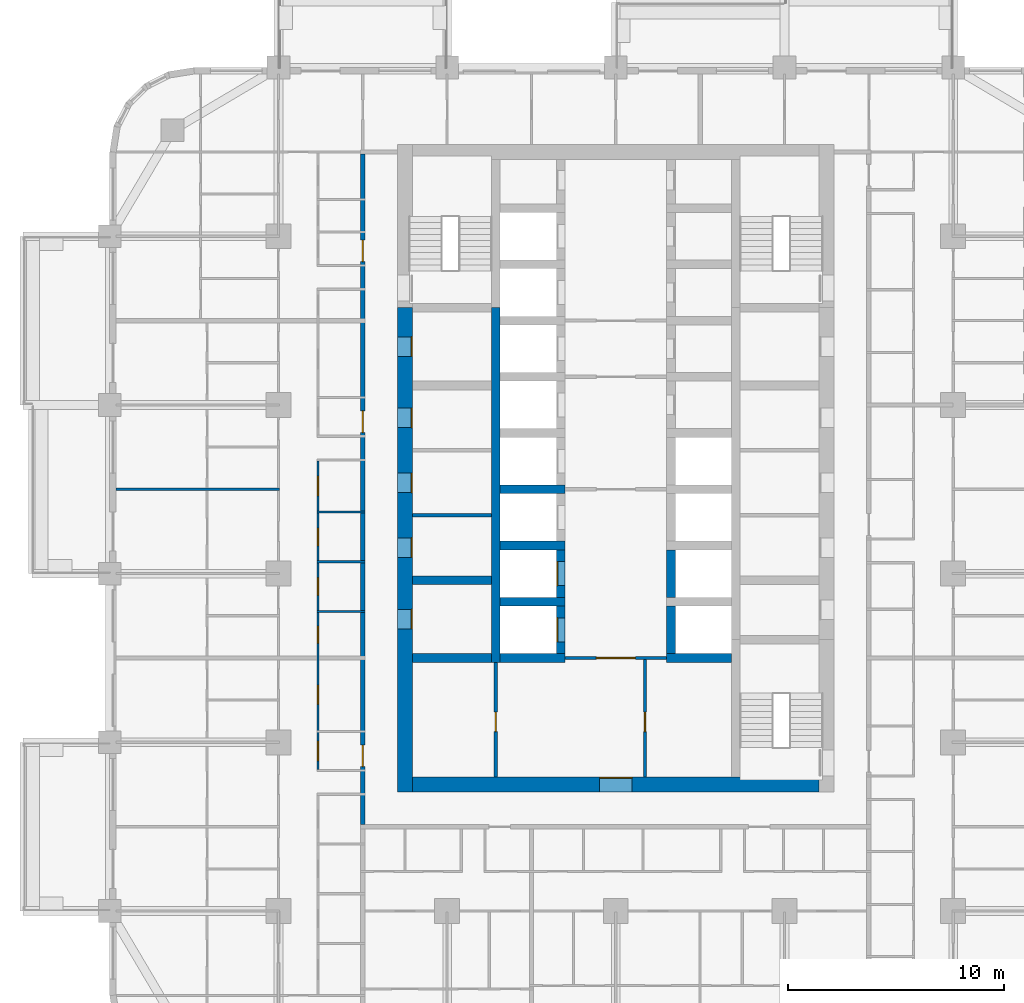
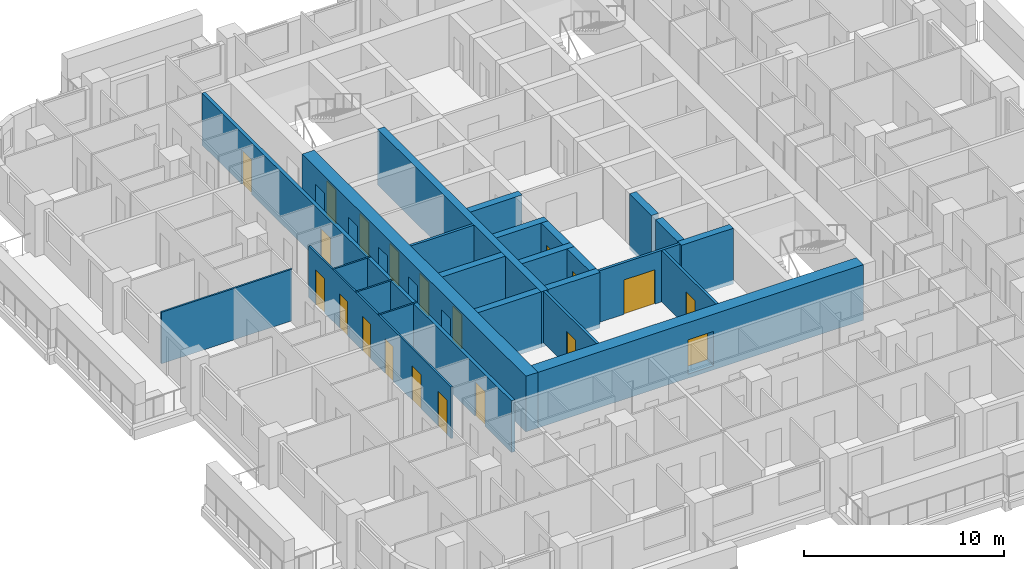
# One storey, part 6 of 18: 24 walls, 20 doors, 20 openings.
"""IFC4 building model written with IfcOpenShell, lengths in metres."""

from ifc_helpers import new_model, si_unit, direction, frame, frame_2d, origin, place, context, subcontext, project, spatial, rectangle, extrude, material, layer, layer_set, type_object, element, fill, save


model = new_model("IFC4")

# Units and contexts
model_context = context("Model", 3, precision=1e-05, world=origin(), true_north=direction((0.0, 1.0)))
body_context = subcontext(model_context, "Body", "Model", "MODEL_VIEW")
ifc_project = project(units=[si_unit("LENGTHUNIT", "METRE"), si_unit("AREAUNIT", "SQUARE_METRE"), si_unit("VOLUMEUNIT", "CUBIC_METRE"), si_unit("PLANEANGLEUNIT", "RADIAN"), si_unit("MASSUNIT", "GRAM", prefix="KILO")], contexts=[model_context])

# Site, building, storey
site_placement = place(None, origin())
site = spatial("IfcSite", under=ifc_project, at=site_placement, CompositionType="ELEMENT")
building_placement = place(site_placement, origin())
building = spatial("IfcBuilding", under=site, at=building_placement, Name="Ludao Terraces", CompositionType="ELEMENT")
storey_placement = place(building_placement, frame((0.0, 0.0, 29.699951171875)))
storey = spatial("IfcBuildingStorey", under=building, at=storey_placement, Name="L07", CompositionType="ELEMENT", Elevation=29.699951171875)

# Wall, openings, doors
ifc_material_1 = material(Name="Concrete C70", Category="concrete")
ifc_layer_1 = layer(ifc_material_1, 0.699951171875)
ifc_layer_set_1 = layer_set([ifc_layer_1], Name="Core wall 700 C70")
wall_type_1 = type_object("IfcWallType", Name="Core wall 700 C70", PredefinedType="SOLIDWALL", material=ifc_layer_set_1)
wall_1_placement = place(storey_placement, frame((75.25, 54.89990234375, -0.25), z_axis=(0.0, 0.0, 1.0), x_axis=(0.0, 1.0, 0.0)))
wall_1 = element("IfcWall", 1, at=wall_1_placement, inside=storey, type_object=wall_type_1, Name="Core wall L07 outer-W", PredefinedType="SOLIDWALL", context=body_context, shape_type="SweptSolid", body=[
    extrude(rectangle(XDim=22.400146484375, YDim=0.699951171875, at=frame_2d((11.2001953125, 0.0))), origin(), (0.0, 0.0, 1.0), 3.400146484375),
])
opening_1_placement = place(wall_1_placement, frame((7.550048828125, 0.0, 0.25)))
opening_1 = element("IfcOpeningElement", 2, at=opening_1_placement, cuts=wall_1, Name="Opening R02-077", PredefinedType="OPENING", context=body_context, shape_type="SweptSolid", body=[
    extrude(rectangle(XDim=0.89990234375, YDim=2.10009765625, at=frame_2d((0.449951171875, 1.050048828125))), frame((0.0, 0.35986328125, 0.0), z_axis=(0.0, -1.0, 0.0), x_axis=(1.0, 0.0, 0.0)), (0.0, 0.0, 1.0), 0.719970703125),
])
opening_2_placement = place(wall_1_placement, frame((10.85009765625, 0.0, 0.25)))
opening_2 = element("IfcOpeningElement", 3, at=opening_2_placement, cuts=wall_1, Name="Opening R02-086", PredefinedType="OPENING", context=body_context, shape_type="SweptSolid", body=[
    extrude(rectangle(XDim=0.89990234375, YDim=2.10009765625, at=frame_2d((0.449951171875, 1.050048828125))), frame((0.0, 0.35986328125, 0.0), z_axis=(0.0, -1.0, 0.0), x_axis=(1.0, 0.0, 0.0)), (0.0, 0.0, 1.0), 0.719970703125),
])
opening_3_placement = place(wall_1_placement, frame((13.85009765625, 0.0, 0.25)))
opening_3 = element("IfcOpeningElement", 4, at=opening_3_placement, cuts=wall_1, Name="Opening R02-098", PredefinedType="OPENING", context=body_context, shape_type="SweptSolid", body=[
    extrude(rectangle(XDim=0.89990234375, YDim=2.10009765625, at=frame_2d((0.449951171875, 1.050048828125))), frame((0.0, 0.35986328125, 0.0), z_axis=(0.0, -1.0, 0.0), x_axis=(1.0, 0.0, 0.0)), (0.0, 0.0, 1.0), 0.719970703125),
])
opening_4_placement = place(wall_1_placement, frame((16.85009765625, 0.0, 0.25)))
opening_4 = element("IfcOpeningElement", 5, at=opening_4_placement, cuts=wall_1, Name="Opening R02-108", PredefinedType="OPENING", context=body_context, shape_type="SweptSolid", body=[
    extrude(rectangle(XDim=0.89990234375, YDim=2.10009765625, at=frame_2d((0.449951171875, 1.050048828125))), frame((0.0, 0.35986328125, 0.0), z_axis=(0.0, -1.0, 0.0), x_axis=(1.0, 0.0, 0.0)), (0.0, 0.0, 1.0), 0.719970703125),
])
opening_5_placement = place(wall_1_placement, frame((20.14990234375, 0.0, 0.25)))
opening_5 = element("IfcOpeningElement", 6, at=opening_5_placement, cuts=wall_1, Name="Opening R02-120", PredefinedType="OPENING", context=body_context, shape_type="SweptSolid", body=[
    extrude(rectangle(XDim=0.89990234375, YDim=2.10009765625, at=frame_2d((0.449951171875, 1.050048828125))), frame((0.0, 0.35986328125, 0.0), z_axis=(0.0, -1.0, 0.0), x_axis=(1.0, 0.0, 0.0)), (0.0, 0.0, 1.0), 0.719970703125),
])
ifc_material_2 = material(Name="Steel Q235", Category="steel")
door_type_1 = type_object("IfcDoorType", Name="INT Riser door 900", OperationType="SINGLE_SWING_LEFT", PredefinedType="DOOR", material=ifc_material_2)
door_1_placement = place(opening_1_placement, origin())
door_1 = element("IfcDoor", 7, at=door_1_placement, inside=storey, type_object=door_type_1, Name="DOOR 077", OperationType="SINGLE_SWING_LEFT", OverallHeight=2.10009765625, OverallWidth=0.89990234375, PredefinedType="DOOR", context=body_context, shape_type="SweptSolid", body=[
    extrude(rectangle(XDim=0.89990234375, YDim=2.10009765625, at=frame_2d((0.449951171875, 1.050048828125))), frame((0.0, -0.28515625, 0.0), z_axis=(0.0, -1.0, 0.0), x_axis=(1.0, 0.0, 0.0)), (0.0, 0.0, 1.0), 0.050048828125),
])
fill(opening_1, door_1)
door_2_placement = place(opening_5_placement, origin())
door_2 = element("IfcDoor", 8, at=door_2_placement, inside=storey, type_object=door_type_1, Name="DOOR 120", OperationType="SINGLE_SWING_RIGHT", OverallHeight=2.10009765625, OverallWidth=0.89990234375, PredefinedType="DOOR", context=body_context, shape_type="SweptSolid", body=[
    extrude(rectangle(XDim=0.89990234375, YDim=2.10009765625, at=frame_2d((0.449951171875, 1.050048828125))), frame((0.0, -0.28515625, 0.0), z_axis=(0.0, -1.0, 0.0), x_axis=(1.0, 0.0, 0.0)), (0.0, 0.0, 1.0), 0.050048828125),
])
fill(opening_5, door_2)
ifc_material_3 = material(Name="Timber door leaf", Category="wood")
door_type_2 = type_object("IfcDoorType", Name="INT Room door 900", OperationType="SINGLE_SWING_LEFT", PredefinedType="DOOR", material=ifc_material_3)
door_3_placement = place(opening_2_placement, origin())
door_3 = element("IfcDoor", 9, at=door_3_placement, inside=storey, type_object=door_type_2, Name="DOOR 086", OperationType="SINGLE_SWING_RIGHT", OverallHeight=2.10009765625, OverallWidth=0.89990234375, PredefinedType="DOOR", context=body_context, shape_type="SweptSolid", body=[
    extrude(rectangle(XDim=0.89990234375, YDim=2.10009765625, at=frame_2d((0.449951171875, 1.050048828125))), frame((0.0, -0.28515625, 0.0), z_axis=(0.0, -1.0, 0.0), x_axis=(1.0, 0.0, 0.0)), (0.0, 0.0, 1.0), 0.050048828125),
])
fill(opening_2, door_3)
door_4_placement = place(opening_3_placement, origin())
door_4 = element("IfcDoor", 10, at=door_4_placement, inside=storey, type_object=door_type_2, Name="DOOR 098", OperationType="SINGLE_SWING_RIGHT", OverallHeight=2.10009765625, OverallWidth=0.89990234375, PredefinedType="DOOR", context=body_context, shape_type="SweptSolid", body=[
    extrude(rectangle(XDim=0.89990234375, YDim=2.10009765625, at=frame_2d((0.449951171875, 1.050048828125))), frame((0.0, -0.28515625, 0.0), z_axis=(0.0, -1.0, 0.0), x_axis=(1.0, 0.0, 0.0)), (0.0, 0.0, 1.0), 0.050048828125),
])
fill(opening_3, door_4)
door_5_placement = place(opening_4_placement, origin())
door_5 = element("IfcDoor", 11, at=door_5_placement, inside=storey, type_object=door_type_2, Name="DOOR 108", OperationType="SINGLE_SWING_LEFT", OverallHeight=2.10009765625, OverallWidth=0.89990234375, PredefinedType="DOOR", context=body_context, shape_type="SweptSolid", body=[
    extrude(rectangle(XDim=0.89990234375, YDim=2.10009765625, at=frame_2d((0.449951171875, 1.050048828125))), frame((0.0, -0.28515625, 0.0), z_axis=(0.0, -1.0, 0.0), x_axis=(1.0, 0.0, 0.0)), (0.0, 0.0, 1.0), 0.050048828125),
])
fill(opening_4, door_5)

# Wall, opening, door
wall_2_placement = place(storey_placement, frame((75.60009765625, 55.25, -0.25), z_axis=(0.0, 0.0, 1.0), x_axis=(1.0, 0.0, 0.0)))
wall_2 = element("IfcWall", 12, at=wall_2_placement, inside=storey, type_object=wall_type_1, Name="Core wall L07 outer-S", PredefinedType="SOLIDWALL", context=body_context, shape_type="SweptSolid", body=[
    extrude(rectangle(XDim=18.7998046875, YDim=0.699951171875, at=frame_2d((9.39990234375, 0.0))), origin(), (0.0, 0.0, 1.0), 3.400146484375),
])
opening_6_placement = place(wall_2_placement, frame((8.64990234375, 0.0, 0.25)))
opening_6 = element("IfcOpeningElement", 13, at=opening_6_placement, cuts=wall_2, Name="Opening R02-053", PredefinedType="OPENING", context=body_context, shape_type="SweptSolid", body=[
    extrude(rectangle(XDim=1.5, YDim=2.10009765625, at=frame_2d((0.75, 1.050048828125))), frame((0.0, 0.35986328125, 0.0), z_axis=(0.0, -1.0, 0.0), x_axis=(1.0, 0.0, 0.0)), (0.0, 0.0, 1.0), 0.719970703125),
])
door_type_3 = type_object("IfcDoorType", Name="INT Lobby door 1500", OperationType="DOUBLE_DOOR_SINGLE_SWING", PredefinedType="DOOR", material=ifc_material_2)
door_6_placement = place(opening_6_placement, origin())
door_6 = element("IfcDoor", 14, at=door_6_placement, inside=storey, type_object=door_type_3, Name="DOOR 053", OperationType="DOUBLE_DOOR_SINGLE_SWING", OverallHeight=2.10009765625, OverallWidth=1.5, PredefinedType="DOOR", context=body_context, shape_type="SweptSolid", body=[
    extrude(rectangle(XDim=1.5, YDim=2.10009765625, at=frame_2d((0.75, 1.050048828125))), frame((0.0, 0.3349609375, 0.0), z_axis=(0.0, -1.0, 0.0), x_axis=(1.0, 0.0, 0.0)), (0.0, 0.0, 1.0), 0.050048828125),
])
fill(opening_6, door_6)

ifc_material_4 = material(Name="Fire-rated gypsum plasterboard", Category="gypsum")
ifc_layer_2 = layer(ifc_material_4, 0.012451171875, Category="gypsum")
ifc_material_5 = material(Name="Mineral wool")
ifc_layer_3 = layer(ifc_material_5, 0.10009765625, Name="insulation")
ifc_layer_4 = layer(ifc_material_2, 0.02490234375, Name="stud")
ifc_layer_5 = layer(ifc_material_4, 0.012451171875, Category="gypsum")
ifc_layer_set_2 = layer_set([ifc_layer_2, ifc_layer_3, ifc_layer_4, ifc_layer_5], Name="INT Core partition 150")
wall_type_2 = type_object("IfcWallType", Name="INT Core partition 150", PredefinedType="PARTITIONING", material=ifc_layer_set_2)
wall_3_placement = place(storey_placement, frame((82.650146484375, 61.10009765625, 0.0), z_axis=(0.0, 0.0, 1.0), x_axis=(1.0, 0.0, 0.0)))
wall_3 = element("IfcWall", 15, at=wall_3_placement, inside=storey, type_object=wall_type_2, Name="PW-L07-PW032", PredefinedType="PARTITIONING", context=body_context, shape_type="SweptSolid", body=[
    extrude(rectangle(XDim=4.699951171875, YDim=0.14990234375, at=frame_2d((2.35009765625, 0.0))), origin(), (0.0, 0.0, 1.0), 3.150146484375),
])
opening_7_placement = place(wall_3_placement, frame((1.449951171875, 0.0, 0.0)))
opening_7 = element("IfcOpeningElement", 16, at=opening_7_placement, cuts=wall_3, Name="Opening R02-071", PredefinedType="OPENING", context=body_context, shape_type="SweptSolid", body=[
    extrude(rectangle(XDim=1.800048828125, YDim=2.10009765625, at=frame_2d((0.89990234375, 1.050048828125))), frame((0.0, 0.0849609375, 0.0), z_axis=(0.0, -1.0, 0.0), x_axis=(1.0, 0.0, 0.0)), (0.0, 0.0, 1.0), 0.169921875),
])
door_type_4 = type_object("IfcDoorType", Name="INT Fire lobby door 1800", OperationType="DOUBLE_DOOR_SINGLE_SWING", PredefinedType="DOOR", material=ifc_material_2)
door_7_placement = place(opening_7_placement, origin())
door_7 = element("IfcDoor", 17, at=door_7_placement, inside=storey, type_object=door_type_4, Name="DOOR 071", OperationType="DOUBLE_DOOR_SINGLE_SWING", OverallHeight=2.10009765625, OverallWidth=1.800048828125, PredefinedType="DOOR", context=body_context, shape_type="SweptSolid", body=[
    extrude(rectangle(XDim=1.800048828125, YDim=2.10009765625, at=frame_2d((0.89990234375, 1.050048828125))), frame((0.0, 0.02490234375, 0.0), z_axis=(0.0, -1.0, 0.0), x_axis=(1.0, 0.0, 0.0)), (0.0, 0.0, 1.0), 0.050048828125),
])
fill(opening_7, door_7)

# Wall
wall_4_placement = place(storey_placement, frame((75.60009765625, 67.699951171875, 0.0), z_axis=(0.0, 0.0, 1.0), x_axis=(1.0, 0.0, 0.0)))
element("IfcWall", 18, at=wall_4_placement, inside=storey, type_object=wall_type_2, Name="PW-L07-PW043", PredefinedType="PARTITIONING", context=body_context, shape_type="SweptSolid", body=[
    extrude(rectangle(XDim=3.64990234375, YDim=0.14990234375, at=frame_2d((1.824951171875, 0.0))), origin(), (0.0, 0.0, 1.0), 3.150146484375),
])

# Wall, opening, door
wall_5_placement = place(storey_placement, frame((79.449951171875, 55.60009765625, 0.0), z_axis=(0.0, 0.0, 1.0), x_axis=(0.0, 1.0, 0.0)))
wall_5 = element("IfcWall", 19, at=wall_5_placement, inside=storey, type_object=wall_type_2, Name="PW-L07-PW097", PredefinedType="PARTITIONING", context=body_context, shape_type="SweptSolid", body=[
    extrude(rectangle(XDim=5.300048828125, YDim=0.14990234375, at=frame_2d((2.64990234375, 0.0))), origin(), (0.0, 0.0, 1.0), 3.150146484375),
])
opening_8_placement = place(wall_5_placement, frame((2.10009765625, 0.0, 0.0)))
opening_8 = element("IfcOpeningElement", 20, at=opening_8_placement, cuts=wall_5, Name="Opening R02-061", PredefinedType="OPENING", context=body_context, shape_type="SweptSolid", body=[
    extrude(rectangle(XDim=0.89990234375, YDim=2.10009765625, at=frame_2d((0.449951171875, 1.050048828125))), frame((0.0, 0.0849609375, 0.0), z_axis=(0.0, -1.0, 0.0), x_axis=(1.0, 0.0, 0.0)), (0.0, 0.0, 1.0), 0.169921875),
])
door_8_placement = place(opening_8_placement, origin())
door_8 = element("IfcDoor", 21, at=door_8_placement, inside=storey, type_object=door_type_2, Name="DOOR 061", OperationType="SINGLE_SWING_LEFT", OverallHeight=2.10009765625, OverallWidth=0.89990234375, PredefinedType="DOOR", context=body_context, shape_type="SweptSolid", body=[
    extrude(rectangle(XDim=0.89990234375, YDim=2.10009765625, at=frame_2d((0.449951171875, 1.050048828125))), frame((0.0, 0.02490234375, 0.0), z_axis=(0.0, -1.0, 0.0), x_axis=(1.0, 0.0, 0.0)), (0.0, 0.0, 1.0), 0.050048828125),
])
fill(opening_8, door_8)

wall_6_placement = place(storey_placement, frame((86.35009765625, 55.60009765625, 0.0), z_axis=(0.0, 0.0, 1.0), x_axis=(0.0, 1.0, 0.0)))
wall_6 = element("IfcWall", 22, at=wall_6_placement, inside=storey, type_object=wall_type_2, Name="PW-L07-PW105", PredefinedType="PARTITIONING", context=body_context, shape_type="SweptSolid", body=[
    extrude(rectangle(XDim=5.425048828125, YDim=0.14990234375, at=frame_2d((2.71240234375, 0.0))), origin(), (0.0, 0.0, 1.0), 3.150146484375),
])
opening_9_placement = place(wall_6_placement, frame((2.10009765625, 0.0, 0.0)))
opening_9 = element("IfcOpeningElement", 23, at=opening_9_placement, cuts=wall_6, Name="Opening R02-062", PredefinedType="OPENING", context=body_context, shape_type="SweptSolid", body=[
    extrude(rectangle(XDim=0.89990234375, YDim=2.10009765625, at=frame_2d((0.449951171875, 1.050048828125))), frame((0.0, 0.0849609375, 0.0), z_axis=(0.0, -1.0, 0.0), x_axis=(1.0, 0.0, 0.0)), (0.0, 0.0, 1.0), 0.169921875),
])
door_9_placement = place(opening_9_placement, origin())
door_9 = element("IfcDoor", 24, at=door_9_placement, inside=storey, type_object=door_type_2, Name="DOOR 062", OperationType="SINGLE_SWING_RIGHT", OverallHeight=2.10009765625, OverallWidth=0.89990234375, PredefinedType="DOOR", context=body_context, shape_type="SweptSolid", body=[
    extrude(rectangle(XDim=0.89990234375, YDim=2.10009765625, at=frame_2d((0.449951171875, 1.050048828125))), frame((0.0, 0.02490234375, 0.0), z_axis=(0.0, -1.0, 0.0), x_axis=(1.0, 0.0, 0.0)), (0.0, 0.0, 1.0), 0.050048828125),
])
fill(opening_9, door_9)

# Wall, openings, doors
ifc_material_6 = material(Name="Autoclaved aerated concrete block B06 A3.5", Category="concrete")
ifc_layer_6 = layer(ifc_material_6, 0.199951171875)
ifc_layer_set_3 = layer_set([ifc_layer_6], Name="INT Entrance wall 200")
wall_type_3 = type_object("IfcWallType", Name="INT Entrance wall 200", PredefinedType="PARTITIONING", material=ifc_layer_set_3)
wall_7_placement = place(storey_placement, frame((73.300048828125, 53.400146484375, 0.0), z_axis=(0.0, 0.0, 1.0), x_axis=(0.0, 1.0, 0.0)))
wall_7 = element("IfcWall", 25, at=wall_7_placement, inside=storey, type_object=wall_type_3, Name="PW-L07-PW089", PredefinedType="PARTITIONING", context=body_context, shape_type="SweptSolid", body=[
    extrude(rectangle(XDim=31.0, YDim=0.199951171875, at=frame_2d((15.5, 0.0))), origin(), (0.0, 0.0, 1.0), 3.150146484375),
])
opening_10_placement = place(wall_7_placement, frame((2.675048828125, 0.0, 0.0)))
opening_10 = element("IfcOpeningElement", 26, at=opening_10_placement, cuts=wall_7, Name="Opening R02-058", PredefinedType="OPENING", context=body_context, shape_type="SweptSolid", body=[
    extrude(rectangle(XDim=1.0, YDim=2.10009765625, at=frame_2d((0.5, 1.050048828125))), frame((0.0, 0.10986328125, 0.0), z_axis=(0.0, -1.0, 0.0), x_axis=(1.0, 0.0, 0.0)), (0.0, 0.0, 1.0), 0.219970703125),
])
opening_11_placement = place(wall_7_placement, frame((18.125, 0.0, 0.0)))
opening_11 = element("IfcOpeningElement", 27, at=opening_11_placement, cuts=wall_7, Name="Opening R02-107", PredefinedType="OPENING", context=body_context, shape_type="SweptSolid", body=[
    extrude(rectangle(XDim=1.0, YDim=2.10009765625, at=frame_2d((0.5, 1.050048828125))), frame((0.0, 0.10986328125, 0.0), z_axis=(0.0, -1.0, 0.0), x_axis=(1.0, 0.0, 0.0)), (0.0, 0.0, 1.0), 0.219970703125),
])
opening_12_placement = place(wall_7_placement, frame((26.02490234375, 0.0, 0.0)))
opening_12 = element("IfcOpeningElement", 28, at=opening_12_placement, cuts=wall_7, Name="Opening R02-140", PredefinedType="OPENING", context=body_context, shape_type="SweptSolid", body=[
    extrude(rectangle(XDim=1.0, YDim=2.10009765625, at=frame_2d((0.5, 1.050048828125))), frame((0.0, 0.10986328125, 0.0), z_axis=(0.0, -1.0, 0.0), x_axis=(1.0, 0.0, 0.0)), (0.0, 0.0, 1.0), 0.219970703125),
])
door_type_5 = type_object("IfcDoorType", Name="INT Flat entrance door 1000", OperationType="SINGLE_SWING_LEFT", PredefinedType="DOOR", material=ifc_material_2)
door_10_placement = place(opening_10_placement, origin())
door_10 = element("IfcDoor", 29, at=door_10_placement, inside=storey, type_object=door_type_5, Name="DOOR 058", OperationType="SINGLE_SWING_RIGHT", OverallHeight=2.10009765625, OverallWidth=1.0, PredefinedType="DOOR", context=body_context, shape_type="SweptSolid", body=[
    extrude(rectangle(XDim=1.0, YDim=2.10009765625, at=frame_2d((0.5, 1.050048828125))), frame((0.0, 0.02490234375, 0.0), z_axis=(0.0, -1.0, 0.0), x_axis=(1.0, 0.0, 0.0)), (0.0, 0.0, 1.0), 0.050048828125),
])
fill(opening_10, door_10)
door_11_placement = place(opening_11_placement, origin())
door_11 = element("IfcDoor", 30, at=door_11_placement, inside=storey, type_object=door_type_5, Name="DOOR 107", OperationType="SINGLE_SWING_RIGHT", OverallHeight=2.10009765625, OverallWidth=1.0, PredefinedType="DOOR", context=body_context, shape_type="SweptSolid", body=[
    extrude(rectangle(XDim=1.0, YDim=2.10009765625, at=frame_2d((0.5, 1.050048828125))), frame((0.0, 0.02490234375, 0.0), z_axis=(0.0, -1.0, 0.0), x_axis=(1.0, 0.0, 0.0)), (0.0, 0.0, 1.0), 0.050048828125),
])
fill(opening_11, door_11)
door_12_placement = place(opening_12_placement, origin())
door_12 = element("IfcDoor", 31, at=door_12_placement, inside=storey, type_object=door_type_5, Name="DOOR 140", OperationType="SINGLE_SWING_RIGHT", OverallHeight=2.10009765625, OverallWidth=1.0, PredefinedType="DOOR", context=body_context, shape_type="SweptSolid", body=[
    extrude(rectangle(XDim=1.0, YDim=2.10009765625, at=frame_2d((0.5, 1.050048828125))), frame((0.0, 0.02490234375, 0.0), z_axis=(0.0, -1.0, 0.0), x_axis=(1.0, 0.0, 0.0)), (0.0, 0.0, 1.0), 0.050048828125),
])
fill(opening_12, door_12)

# Walls
ifc_material_7 = material(Name="Gypsum plasterboard", Category="gypsum")
ifc_layer_7 = layer(ifc_material_7, 0.012451171875, Category="gypsum")
ifc_layer_8 = layer(ifc_material_5, 0.06005859375, Name="insulation")
ifc_layer_9 = layer(ifc_material_2, 0.014892578125, Name="stud")
ifc_layer_10 = layer(ifc_material_7, 0.012451171875, Category="gypsum")
ifc_layer_set_4 = layer_set([ifc_layer_7, ifc_layer_8, ifc_layer_9, ifc_layer_10], Name="INT Partition 100")
wall_type_4 = type_object("IfcWallType", Name="INT Partition 100", PredefinedType="PARTITIONING", material=ifc_layer_set_4)
for number, where, z_axis, x_axis, name in (
    (32, (71.18017578125, 63.25, 0.0), (0.0, 0.0, 1.0), (1.0, 0.0, 0.0), "PW-L07-PW036"),
    (33, (71.18017578125, 65.550048828125, 0.0), (0.0, 0.0, 1.0), (1.0, 0.0, 0.0), "PW-L07-PW041"),
    (34, (71.18017578125, 67.85009765625, 0.0), (0.0, 0.0, 1.0), (1.0, 0.0, 0.0), "PW-L07-PW045"),
):
    element("IfcWall", number, at=place(storey_placement, frame(where, z_axis=z_axis, x_axis=x_axis)), inside=storey, type_object=wall_type_4, Name=name, PredefinedType="PARTITIONING", context=body_context, shape_type="SweptSolid", body=[
        extrude(rectangle(XDim=2.219970703125, YDim=0.10009765625, at=frame_2d((1.10986328125, 0.0))), origin(), (0.0, 0.0, 1.0), 3.150146484375),
    ])
wall_8_placement = place(storey_placement, frame((61.900146484375, 68.89990234375, 0.0), z_axis=(0.0, 0.0, 1.0), x_axis=(1.0, 0.0, 0.0)))
element("IfcWall", 35, at=wall_8_placement, inside=storey, type_object=wall_type_4, Name="PW-L07-PW046", PredefinedType="PARTITIONING", context=body_context, shape_type="SweptSolid", body=[
    extrude(rectangle(XDim=7.550048828125, YDim=0.10009765625, at=frame_2d((3.77490234375, 0.0))), origin(), (0.0, 0.0, 1.0), 3.150146484375),
])

# Wall, openings, doors
wall_9_placement = place(storey_placement, frame((71.22998046875, 55.9501953125, 0.0), z_axis=(0.0, 0.0, 1.0), x_axis=(0.0, 1.0, 0.0)))
wall_9 = element("IfcWall", 36, at=wall_9_placement, inside=storey, type_object=wall_type_4, Name="PW-L07-PW085", PredefinedType="PARTITIONING", context=body_context, shape_type="SweptSolid", body=[
    extrude(rectangle(XDim=14.25, YDim=0.10009765625, at=frame_2d((7.125, 0.0))), origin(), (0.0, 0.0, 1.0), 3.150146484375),
])
opening_13_placement = place(wall_9_placement, frame((0.39990234375, 0.0, 0.0)))
opening_13 = element("IfcOpeningElement", 37, at=opening_13_placement, cuts=wall_9, Name="Opening R02-059", PredefinedType="OPENING", context=body_context, shape_type="SweptSolid", body=[
    extrude(rectangle(XDim=0.89990234375, YDim=2.10009765625, at=frame_2d((0.449951171875, 1.050048828125))), frame((0.0, 0.06005859375, 0.0), z_axis=(0.0, -1.0, 0.0), x_axis=(1.0, 0.0, 0.0)), (0.0, 0.0, 1.0), 0.1201171875),
])
opening_14_placement = place(wall_9_placement, frame((3.0, 0.0, 0.0)))
opening_14 = element("IfcOpeningElement", 38, at=opening_14_placement, cuts=wall_9, Name="Opening R02-065", PredefinedType="OPENING", context=body_context, shape_type="SweptSolid", body=[
    extrude(rectangle(XDim=0.89990234375, YDim=2.10009765625, at=frame_2d((0.449951171875, 1.050048828125))), frame((0.0, 0.06005859375, 0.0), z_axis=(0.0, -1.0, 0.0), x_axis=(1.0, 0.0, 0.0)), (0.0, 0.0, 1.0), 0.1201171875),
])
opening_15_placement = place(wall_9_placement, frame((5.824951171875, 0.0, 0.0)))
opening_15 = element("IfcOpeningElement", 39, at=opening_15_placement, cuts=wall_9, Name="Opening R02-074", PredefinedType="OPENING", context=body_context, shape_type="SweptSolid", body=[
    extrude(rectangle(XDim=0.800048828125, YDim=2.10009765625, at=frame_2d((0.39990234375, 1.050048828125))), frame((0.0, 0.06005859375, 0.0), z_axis=(0.0, -1.0, 0.0), x_axis=(1.0, 0.0, 0.0)), (0.0, 0.0, 1.0), 0.1201171875),
])
opening_16_placement = place(wall_9_placement, frame((8.0498046875, 0.0, 0.0)))
opening_16 = element("IfcOpeningElement", 40, at=opening_16_placement, cuts=wall_9, Name="Opening R02-083", PredefinedType="OPENING", context=body_context, shape_type="SweptSolid", body=[
    extrude(rectangle(XDim=0.800048828125, YDim=2.10009765625, at=frame_2d((0.39990234375, 1.050048828125))), frame((0.0, 0.06005859375, 0.0), z_axis=(0.0, -1.0, 0.0), x_axis=(1.0, 0.0, 0.0)), (0.0, 0.0, 1.0), 0.1201171875),
])
opening_17_placement = place(wall_9_placement, frame((10.349853515625, 0.0, 0.0)))
opening_17 = element("IfcOpeningElement", 41, at=opening_17_placement, cuts=wall_9, Name="Opening R02-088", PredefinedType="OPENING", context=body_context, shape_type="SweptSolid", body=[
    extrude(rectangle(XDim=0.800048828125, YDim=2.10009765625, at=frame_2d((0.39990234375, 1.050048828125))), frame((0.0, 0.06005859375, 0.0), z_axis=(0.0, -1.0, 0.0), x_axis=(1.0, 0.0, 0.0)), (0.0, 0.0, 1.0), 0.1201171875),
])
opening_18_placement = place(wall_9_placement, frame((12.64990234375, 0.0, 0.0)))
opening_18 = element("IfcOpeningElement", 42, at=opening_18_placement, cuts=wall_9, Name="Opening R02-097", PredefinedType="OPENING", context=body_context, shape_type="SweptSolid", body=[
    extrude(rectangle(XDim=0.89990234375, YDim=2.10009765625, at=frame_2d((0.449951171875, 1.050048828125))), frame((0.0, 0.06005859375, 0.0), z_axis=(0.0, -1.0, 0.0), x_axis=(1.0, 0.0, 0.0)), (0.0, 0.0, 1.0), 0.1201171875),
])
door_type_6 = type_object("IfcDoorType", Name="INT Bathroom door 900", OperationType="SINGLE_SWING_LEFT", PredefinedType="DOOR", material=ifc_material_3)
door_13_placement = place(opening_13_placement, origin())
door_13 = element("IfcDoor", 43, at=door_13_placement, inside=storey, type_object=door_type_6, Name="DOOR 059", OperationType="SINGLE_SWING_RIGHT", OverallHeight=2.10009765625, OverallWidth=0.89990234375, PredefinedType="DOOR", context=body_context, shape_type="SweptSolid", body=[
    extrude(rectangle(XDim=0.89990234375, YDim=2.10009765625, at=frame_2d((0.449951171875, 1.050048828125))), frame((0.0, 0.02490234375, 0.0), z_axis=(0.0, -1.0, 0.0), x_axis=(1.0, 0.0, 0.0)), (0.0, 0.0, 1.0), 0.050048828125),
])
fill(opening_13, door_13)
door_14_placement = place(opening_18_placement, origin())
door_14 = element("IfcDoor", 44, at=door_14_placement, inside=storey, type_object=door_type_6, Name="DOOR 097", OperationType="SINGLE_SWING_RIGHT", OverallHeight=2.10009765625, OverallWidth=0.89990234375, PredefinedType="DOOR", context=body_context, shape_type="SweptSolid", body=[
    extrude(rectangle(XDim=0.89990234375, YDim=2.10009765625, at=frame_2d((0.449951171875, 1.050048828125))), frame((0.0, 0.02490234375, 0.0), z_axis=(0.0, -1.0, 0.0), x_axis=(1.0, 0.0, 0.0)), (0.0, 0.0, 1.0), 0.050048828125),
])
fill(opening_18, door_14)
door_15_placement = place(opening_14_placement, origin())
door_15 = element("IfcDoor", 45, at=door_15_placement, inside=storey, type_object=door_type_2, Name="DOOR 065", OperationType="SINGLE_SWING_LEFT", OverallHeight=2.10009765625, OverallWidth=0.89990234375, PredefinedType="DOOR", context=body_context, shape_type="SweptSolid", body=[
    extrude(rectangle(XDim=0.89990234375, YDim=2.10009765625, at=frame_2d((0.449951171875, 1.050048828125))), frame((0.0, 0.02490234375, 0.0), z_axis=(0.0, -1.0, 0.0), x_axis=(1.0, 0.0, 0.0)), (0.0, 0.0, 1.0), 0.050048828125),
])
fill(opening_14, door_15)
door_type_7 = type_object("IfcDoorType", Name="INT Store door 800", OperationType="SINGLE_SWING_LEFT", PredefinedType="DOOR", material=ifc_material_3)
door_16_placement = place(opening_15_placement, origin())
door_16 = element("IfcDoor", 46, at=door_16_placement, inside=storey, type_object=door_type_7, Name="DOOR 074", OperationType="SINGLE_SWING_RIGHT", OverallHeight=2.10009765625, OverallWidth=0.800048828125, PredefinedType="DOOR", context=body_context, shape_type="SweptSolid", body=[
    extrude(rectangle(XDim=0.800048828125, YDim=2.10009765625, at=frame_2d((0.39990234375, 1.050048828125))), frame((0.0, 0.02490234375, 0.0), z_axis=(0.0, -1.0, 0.0), x_axis=(1.0, 0.0, 0.0)), (0.0, 0.0, 1.0), 0.050048828125),
])
fill(opening_15, door_16)
door_17_placement = place(opening_16_placement, origin())
door_17 = element("IfcDoor", 47, at=door_17_placement, inside=storey, type_object=door_type_7, Name="DOOR 083", OperationType="SINGLE_SWING_LEFT", OverallHeight=2.10009765625, OverallWidth=0.800048828125, PredefinedType="DOOR", context=body_context, shape_type="SweptSolid", body=[
    extrude(rectangle(XDim=0.800048828125, YDim=2.10009765625, at=frame_2d((0.39990234375, 1.050048828125))), frame((0.0, 0.02490234375, 0.0), z_axis=(0.0, -1.0, 0.0), x_axis=(1.0, 0.0, 0.0)), (0.0, 0.0, 1.0), 0.050048828125),
])
fill(opening_16, door_17)
door_18_placement = place(opening_17_placement, origin())
door_18 = element("IfcDoor", 48, at=door_18_placement, inside=storey, type_object=door_type_7, Name="DOOR 088", OperationType="SINGLE_SWING_RIGHT", OverallHeight=2.10009765625, OverallWidth=0.800048828125, PredefinedType="DOOR", context=body_context, shape_type="SweptSolid", body=[
    extrude(rectangle(XDim=0.800048828125, YDim=2.10009765625, at=frame_2d((0.39990234375, 1.050048828125))), frame((0.0, 0.02490234375, 0.0), z_axis=(0.0, -1.0, 0.0), x_axis=(1.0, 0.0, 0.0)), (0.0, 0.0, 1.0), 0.050048828125),
])
fill(opening_17, door_18)

# Walls
ifc_material_8 = material(Name="Concrete C60", Category="concrete")
ifc_layer_11 = layer(ifc_material_8, 0.39990234375)
ifc_layer_set_5 = layer_set([ifc_layer_11], Name="Shaft wall 400 C60")
wall_type_5 = type_object("IfcWallType", Name="Shaft wall 400 C60", PredefinedType="SOLIDWALL", material=ifc_layer_set_5)
wall_10_placement = place(storey_placement, frame((79.449951171875, 60.89990234375, -0.25), z_axis=(0.0, 0.0, 1.0), x_axis=(0.0, 1.0, 0.0)))
element("IfcWall", 49, at=wall_10_placement, inside=storey, type_object=wall_type_5, Name="Core wall L07 back-W", PredefinedType="SOLIDWALL", context=body_context, shape_type="SweptSolid", body=[
    extrude(rectangle(XDim=16.400146484375, YDim=0.39990234375, at=frame_2d((8.2001953125, 0.0))), origin(), (0.0, 0.0, 1.0), 3.400146484375),
])
wall_11_placement = place(storey_placement, frame((79.64990234375, 61.10009765625, -0.25), z_axis=(0.0, 0.0, 1.0), x_axis=(1.0, 0.0, 0.0)))
element("IfcWall", 50, at=wall_11_placement, inside=storey, type_object=wall_type_5, Name="Core wall L07 div-W1", PredefinedType="SOLIDWALL", context=body_context, shape_type="SweptSolid", body=[
    extrude(rectangle(XDim=3.0, YDim=0.39990234375, at=frame_2d((1.5, 0.0))), origin(), (0.0, 0.0, 1.0), 3.400146484375),
])

# Wall, opening, door
wall_12_placement = place(storey_placement, frame((82.449951171875, 61.300048828125, -0.25), z_axis=(0.0, 0.0, 1.0), x_axis=(0.0, 1.0, 0.0)))
wall_12 = element("IfcWall", 51, at=wall_12_placement, inside=storey, type_object=wall_type_5, Name="Core wall L07 front-W1", PredefinedType="SOLIDWALL", context=body_context, shape_type="SweptSolid", body=[
    extrude(rectangle(XDim=2.199951171875, YDim=0.39990234375, at=frame_2d((1.10009765625, 0.0))), origin(), (0.0, 0.0, 1.0), 3.400146484375),
])
opening_19_placement = place(wall_12_placement, frame((0.550048828125, 0.0, 0.25)))
opening_19 = element("IfcOpeningElement", 52, at=opening_19_placement, cuts=wall_12, Name="Opening LD-LA1", PredefinedType="OPENING", context=body_context, shape_type="SweptSolid", body=[
    extrude(rectangle(XDim=1.10009765625, YDim=2.10009765625, at=frame_2d((0.550048828125, 1.050048828125))), frame((0.0, 0.2099609375, 0.0), z_axis=(0.0, -1.0, 0.0), x_axis=(1.0, 0.0, 0.0)), (0.0, 0.0, 1.0), 0.419921875),
])
ifc_material_9 = material(Name="Stainless steel 304", Category="steel")
door_type_8 = type_object("IfcDoorType", Name="INT Lift landing door 1100", OperationType="SLIDING_TO_LEFT", PredefinedType="DOOR", material=ifc_material_9)
door_19_placement = place(opening_19_placement, origin())
door_19 = element("IfcDoor", 53, at=door_19_placement, inside=storey, type_object=door_type_8, Name="LANDING DOOR LA1 L07", OperationType="SLIDING_TO_RIGHT", OverallHeight=2.10009765625, OverallWidth=1.10009765625, PredefinedType="DOOR", context=body_context, shape_type="SweptSolid", body=[
    extrude(rectangle(XDim=1.10009765625, YDim=2.10009765625, at=frame_2d((0.550048828125, 1.050048828125))), frame((0.0, 0.18505859375, 0.0), z_axis=(0.0, -1.0, 0.0), x_axis=(1.0, 0.0, 0.0)), (0.0, 0.0, 1.0), 0.050048828125),
])
fill(opening_19, door_19)

# Wall
wall_13_placement = place(storey_placement, frame((79.64990234375, 63.699951171875, -0.25), z_axis=(0.0, 0.0, 1.0), x_axis=(1.0, 0.0, 0.0)))
element("IfcWall", 54, at=wall_13_placement, inside=storey, type_object=wall_type_5, Name="Core wall L07 div-W2", PredefinedType="SOLIDWALL", context=body_context, shape_type="SweptSolid", body=[
    extrude(rectangle(XDim=3.0, YDim=0.39990234375, at=frame_2d((1.5, 0.0))), origin(), (0.0, 0.0, 1.0), 3.400146484375),
])

# Wall, opening, door
wall_14_placement = place(storey_placement, frame((82.449951171875, 63.89990234375, -0.25), z_axis=(0.0, 0.0, 1.0), x_axis=(0.0, 1.0, 0.0)))
wall_14 = element("IfcWall", 55, at=wall_14_placement, inside=storey, type_object=wall_type_5, Name="Core wall L07 front-W2", PredefinedType="SOLIDWALL", context=body_context, shape_type="SweptSolid", body=[
    extrude(rectangle(XDim=2.2001953125, YDim=0.39990234375, at=frame_2d((1.10009765625, 0.0))), origin(), (0.0, 0.0, 1.0), 3.400146484375),
])
opening_20_placement = place(wall_14_placement, frame((0.550048828125, 0.0, 0.25)))
opening_20 = element("IfcOpeningElement", 56, at=opening_20_placement, cuts=wall_14, Name="Opening LD-LA2", PredefinedType="OPENING", context=body_context, shape_type="SweptSolid", body=[
    extrude(rectangle(XDim=1.10009765625, YDim=2.10009765625, at=frame_2d((0.550048828125, 1.050048828125))), frame((0.0, 0.2099609375, 0.0), z_axis=(0.0, -1.0, 0.0), x_axis=(1.0, 0.0, 0.0)), (0.0, 0.0, 1.0), 0.419921875),
])
door_20_placement = place(opening_20_placement, origin())
door_20 = element("IfcDoor", 57, at=door_20_placement, inside=storey, type_object=door_type_8, Name="LANDING DOOR LA2 L07", OperationType="SLIDING_TO_RIGHT", OverallHeight=2.10009765625, OverallWidth=1.10009765625, PredefinedType="DOOR", context=body_context, shape_type="SweptSolid", body=[
    extrude(rectangle(XDim=1.10009765625, YDim=2.10009765625, at=frame_2d((0.550048828125, 1.050048828125))), frame((0.0, 0.18505859375, 0.0), z_axis=(0.0, -1.0, 0.0), x_axis=(1.0, 0.0, 0.0)), (0.0, 0.0, 1.0), 0.050048828125),
])
fill(opening_20, door_20)

# Walls
for number, where, z_axis, x_axis, name in (
    (58, (79.64990234375, 66.300048828125, -0.25), (0.0, 0.0, 1.0), (1.0, 0.0, 0.0), "Core wall L07 div-W3"),
    (59, (79.64990234375, 68.89990234375, -0.25), (0.0, 0.0, 1.0), (1.0, 0.0, 0.0), "Core wall L07 div-W4"),
    (60, (87.35009765625, 61.10009765625, -0.25), (0.0, 0.0, 1.0), (1.0, 0.0, 0.0), "Core wall L07 div-E1"),
):
    element("IfcWall", number, at=place(storey_placement, frame(where, z_axis=z_axis, x_axis=x_axis)), inside=storey, type_object=wall_type_5, Name=name, PredefinedType="SOLIDWALL", context=body_context, shape_type="SweptSolid", body=[
        extrude(rectangle(XDim=3.0, YDim=0.39990234375, at=frame_2d((1.5, 0.0))), origin(), (0.0, 0.0, 1.0), 3.400146484375),
    ])
wall_15_placement = place(storey_placement, frame((87.550048828125, 61.300048828125, -0.25), z_axis=(0.0, 0.0, 1.0), x_axis=(0.0, 1.0, 0.0)))
element("IfcWall", 61, at=wall_15_placement, inside=storey, type_object=wall_type_5, Name="Core wall L07 front-E1", PredefinedType="SOLIDWALL", context=body_context, shape_type="SweptSolid", body=[
    extrude(rectangle(XDim=2.199951171875, YDim=0.39990234375, at=frame_2d((1.10009765625, 0.0))), origin(), (0.0, 0.0, 1.0), 3.400146484375),
])
wall_16_placement = place(storey_placement, frame((87.550048828125, 63.89990234375, -0.25), z_axis=(0.0, 0.0, 1.0), x_axis=(0.0, 1.0, 0.0)))
element("IfcWall", 62, at=wall_16_placement, inside=storey, type_object=wall_type_5, Name="Core wall L07 front-E2", PredefinedType="SOLIDWALL", context=body_context, shape_type="SweptSolid", body=[
    extrude(rectangle(XDim=2.2001953125, YDim=0.39990234375, at=frame_2d((1.10009765625, 0.0))), origin(), (0.0, 0.0, 1.0), 3.400146484375),
])
for number, where, z_axis, x_axis, name in (
    (63, (75.60009765625, 61.10009765625, -0.25), (0.0, 0.0, 1.0), (1.0, 0.0, 0.0), "Core wall L07 hall-W"),
    (64, (75.60009765625, 64.699951171875, -0.25), (0.0, 0.0, 1.0), (1.0, 0.0, 0.0), "Core wall L07 riser-a-W"),
):
    element("IfcWall", number, at=place(storey_placement, frame(where, z_axis=z_axis, x_axis=x_axis)), inside=storey, type_object=wall_type_5, Name=name, PredefinedType="SOLIDWALL", context=body_context, shape_type="SweptSolid", body=[
        extrude(rectangle(XDim=3.64990234375, YDim=0.39990234375, at=frame_2d((1.824951171875, 0.0))), origin(), (0.0, 0.0, 1.0), 3.400146484375),
    ])

save(model, "model.ifc")
